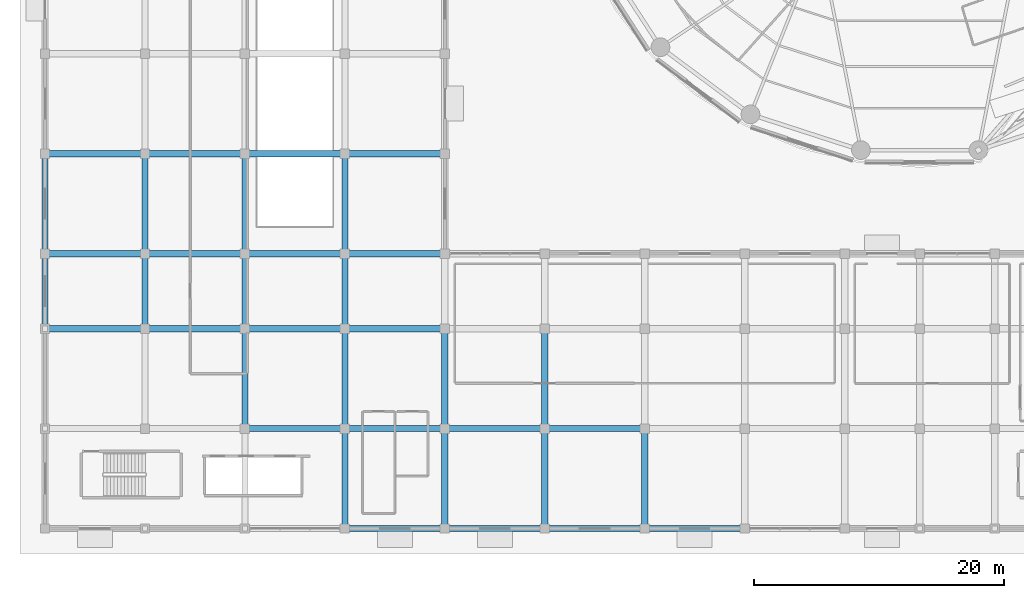
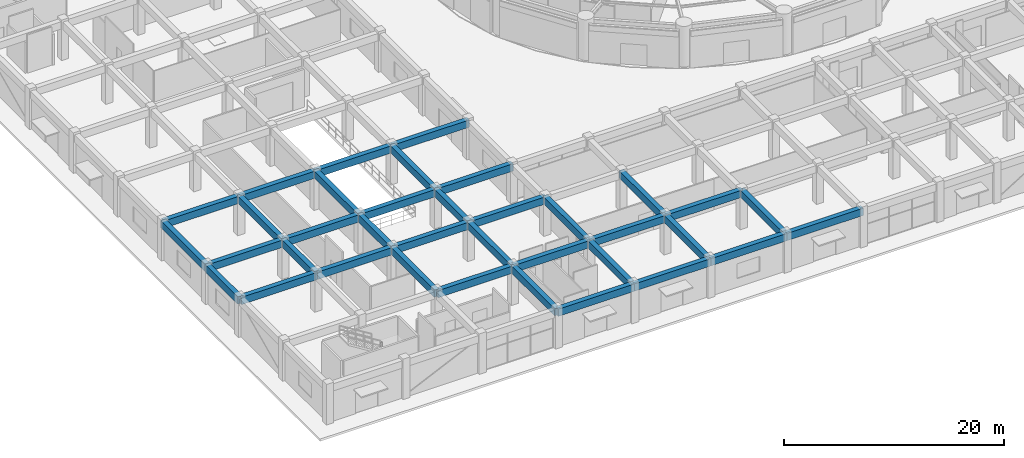
# One storey, part 7 of 40: 36 beams.
"""IFC4 building model written with IfcOpenShell, lengths in metres."""

from ifc_helpers import new_model, si_unit, direction, frame, origin, origin_2d, place, context, subcontext, project, spatial, rectangle, extrude, material, material_profile, profile_set, type_object, element, save


model = new_model("IFC4")

# Units and contexts
model_context = context("Model", 3, precision=1e-05, world=origin(), true_north=direction((0.0, 1.0)))
body_context = subcontext(model_context, "Body", "Model", "MODEL_VIEW")
ifc_project = project(units=[si_unit("LENGTHUNIT", "METRE"), si_unit("AREAUNIT", "SQUARE_METRE"), si_unit("VOLUMEUNIT", "CUBIC_METRE"), si_unit("PLANEANGLEUNIT", "RADIAN"), si_unit("MASSUNIT", "GRAM", prefix="KILO")], contexts=[model_context])

# Site, building, storey
site_placement = place(None, origin())
site = spatial("IfcSite", under=ifc_project, at=site_placement, CompositionType="ELEMENT")
building_placement = place(site_placement, origin())
building = spatial("IfcBuilding", under=site, at=building_placement, Name="Kelanora Arch Commons", CompositionType="ELEMENT")
storey_placement = place(building_placement, origin())
storey = spatial("IfcBuildingStorey", under=building, at=storey_placement, Name="L00", CompositionType="ELEMENT", Elevation=0.0)

# Beams
ifc_material = material(Name="Concrete C40/50", Category="concrete")
ifc_material_profile = material_profile(ifc_material, rectangle(XDim=0.5, YDim=0.800048828125, at=origin_2d()), Name="RCB500x800")
ifc_profile_set = profile_set([ifc_material_profile], Name="Concrete C40/50")
beam_type = type_object("IfcBeamType", Name="BM-MKT-RC1", PredefinedType="BEAM", material=ifc_profile_set)
beam_1_placement = place(storey_placement, frame((4.0, 20.0, 3.840087890625), z_axis=(1.0, 0.0, 0.0), x_axis=(0.0, 1.0, 0.0)))
element("IfcBeam", 1, at=beam_1_placement, inside=storey, type_object=beam_type, Name="Market/Basement Frame Beam 005 L00", PredefinedType="BEAM", context=body_context, shape_type="SweptSolid", body=[
    extrude(rectangle(XDim=0.5, YDim=0.800048828125, at=origin_2d()), origin(), (0.0, 0.0, 1.0), 8.0),
])
beam_2_placement = place(storey_placement, frame((4.0, 20.0, 3.840087890625), z_axis=(0.0, 1.0, 0.0), x_axis=(-1.0, 0.0, 0.0)))
element("IfcBeam", 2, at=beam_2_placement, inside=storey, type_object=beam_type, Name="Market/Basement Frame Beam 006 L00", PredefinedType="BEAM", context=body_context, shape_type="SweptSolid", body=[
    extrude(rectangle(XDim=0.5, YDim=0.800048828125, at=origin_2d()), origin(), (0.0, 0.0, 1.0), 6.0),
])
for number, where, z_axis, x_axis, name in (
    (3, (4.0, 26.0, 3.840087890625), (1.0, 0.0, 0.0), (0.0, 1.0, 0.0), "Market/Basement Frame Beam 007 L00"),
    (4, (4.0, 26.0, 3.840087890625), (0.0, 1.0, 0.0), (-1.0, 0.0, 0.0), "Market/Basement Frame Beam 008 L00"),
    (5, (4.0, 34.0, 3.840087890625), (1.0, 0.0, 0.0), (0.0, 1.0, 0.0), "Market/Basement Frame Beam 009 L00"),
    (6, (12.0, 20.0, 3.840087890625), (1.0, 0.0, 0.0), (0.0, 1.0, 0.0), "Market/Basement Frame Beam 024 L00"),
):
    element("IfcBeam", number, at=place(storey_placement, frame(where, z_axis=z_axis, x_axis=x_axis)), inside=storey, type_object=beam_type, Name=name, PredefinedType="BEAM", context=body_context, shape_type="SweptSolid", body=[
        extrude(rectangle(XDim=0.5, YDim=0.800048828125, at=origin_2d()), origin(), (0.0, 0.0, 1.0), 8.0),
    ])
beam_3_placement = place(storey_placement, frame((12.0, 20.0, 3.840087890625), z_axis=(0.0, 1.0, 0.0), x_axis=(-1.0, 0.0, 0.0)))
element("IfcBeam", 7, at=beam_3_placement, inside=storey, type_object=beam_type, Name="Market/Basement Frame Beam 025 L00", PredefinedType="BEAM", context=body_context, shape_type="SweptSolid", body=[
    extrude(rectangle(XDim=0.5, YDim=0.800048828125, at=origin_2d()), origin(), (0.0, 0.0, 1.0), 6.0),
])
for number, where, z_axis, x_axis, name in (
    (8, (12.0, 26.0, 3.840087890625), (1.0, 0.0, 0.0), (0.0, 1.0, 0.0), "Market/Basement Frame Beam 026 L00"),
    (9, (12.0, 26.0, 3.840087890625), (0.0, 1.0, 0.0), (-1.0, 0.0, 0.0), "Market/Basement Frame Beam 027 L00"),
    (10, (12.0, 34.0, 3.840087890625), (1.0, 0.0, 0.0), (0.0, 1.0, 0.0), "Market/Basement Frame Beam 028 L00"),
    (11, (20.0, 12.0, 3.840087890625), (1.0, 0.0, 0.0), (0.0, 1.0, 0.0), "Market/Basement Frame Beam 040 L00"),
    (12, (20.0, 12.0, 3.840087890625), (0.0, 1.0, 0.0), (-1.0, 0.0, 0.0), "Market/Basement Frame Beam 041 L00"),
    (13, (20.0, 20.0, 3.840087890625), (1.0, 0.0, 0.0), (0.0, 1.0, 0.0), "Market/Basement Frame Beam 042 L00"),
):
    element("IfcBeam", number, at=place(storey_placement, frame(where, z_axis=z_axis, x_axis=x_axis)), inside=storey, type_object=beam_type, Name=name, PredefinedType="BEAM", context=body_context, shape_type="SweptSolid", body=[
        extrude(rectangle(XDim=0.5, YDim=0.800048828125, at=origin_2d()), origin(), (0.0, 0.0, 1.0), 8.0),
    ])
beam_4_placement = place(storey_placement, frame((20.0, 20.0, 3.840087890625), z_axis=(0.0, 1.0, 0.0), x_axis=(-1.0, 0.0, 0.0)))
element("IfcBeam", 14, at=beam_4_placement, inside=storey, type_object=beam_type, Name="Market/Basement Frame Beam 043 L00", PredefinedType="BEAM", context=body_context, shape_type="SweptSolid", body=[
    extrude(rectangle(XDim=0.5, YDim=0.800048828125, at=origin_2d()), origin(), (0.0, 0.0, 1.0), 6.0),
])
for number, where, z_axis, x_axis, name in (
    (15, (20.0, 26.0, 3.840087890625), (1.0, 0.0, 0.0), (0.0, 1.0, 0.0), "Market/Basement Frame Beam 044 L00"),
    (16, (20.0, 26.0, 3.840087890625), (0.0, 1.0, 0.0), (-1.0, 0.0, 0.0), "Market/Basement Frame Beam 045 L00"),
    (17, (20.0, 34.0, 3.840087890625), (1.0, 0.0, 0.0), (0.0, 1.0, 0.0), "Market/Basement Frame Beam 046 L00"),
    (18, (28.0, 4.0, 3.840087890625), (1.0, 0.0, 0.0), (0.0, 1.0, 0.0), "Market/Basement Frame Beam 059 L00"),
    (19, (28.0, 4.0, 3.840087890625), (0.0, 1.0, 0.0), (-1.0, 0.0, 0.0), "Market/Basement Frame Beam 060 L00"),
    (20, (28.0, 12.0, 3.840087890625), (1.0, 0.0, 0.0), (0.0, 1.0, 0.0), "Market/Basement Frame Beam 061 L00"),
    (21, (28.0, 12.0, 3.840087890625), (0.0, 1.0, 0.0), (-1.0, 0.0, 0.0), "Market/Basement Frame Beam 062 L00"),
    (22, (28.0, 20.0, 3.840087890625), (1.0, 0.0, 0.0), (0.0, 1.0, 0.0), "Market/Basement Frame Beam 063 L00"),
):
    element("IfcBeam", number, at=place(storey_placement, frame(where, z_axis=z_axis, x_axis=x_axis)), inside=storey, type_object=beam_type, Name=name, PredefinedType="BEAM", context=body_context, shape_type="SweptSolid", body=[
        extrude(rectangle(XDim=0.5, YDim=0.800048828125, at=origin_2d()), origin(), (0.0, 0.0, 1.0), 8.0),
    ])
beam_5_placement = place(storey_placement, frame((28.0, 20.0, 3.840087890625), z_axis=(0.0, 1.0, 0.0), x_axis=(-1.0, 0.0, 0.0)))
element("IfcBeam", 23, at=beam_5_placement, inside=storey, type_object=beam_type, Name="Market/Basement Frame Beam 064 L00", PredefinedType="BEAM", context=body_context, shape_type="SweptSolid", body=[
    extrude(rectangle(XDim=0.5, YDim=0.800048828125, at=origin_2d()), origin(), (0.0, 0.0, 1.0), 6.0),
])
for number, where, z_axis, x_axis, name in (
    (24, (28.0, 26.0, 3.840087890625), (1.0, 0.0, 0.0), (0.0, 1.0, 0.0), "Market/Basement Frame Beam 065 L00"),
    (25, (28.0, 26.0, 3.840087890625), (0.0, 1.0, 0.0), (-1.0, 0.0, 0.0), "Market/Basement Frame Beam 066 L00"),
    (26, (28.0, 34.0, 3.840087890625), (1.0, 0.0, 0.0), (0.0, 1.0, 0.0), "Market/Basement Frame Beam 067 L00"),
    (27, (36.0, 4.0, 3.840087890625), (1.0, 0.0, 0.0), (0.0, 1.0, 0.0), "Market/Basement Frame Beam 080 L00"),
    (28, (36.0, 4.0, 3.840087890625), (0.0, 1.0, 0.0), (-1.0, 0.0, 0.0), "Market/Basement Frame Beam 081 L00"),
    (29, (36.0, 12.0, 3.840087890625), (1.0, 0.0, 0.0), (0.0, 1.0, 0.0), "Market/Basement Frame Beam 082 L00"),
    (30, (36.0, 12.0, 3.840087890625), (0.0, 1.0, 0.0), (-1.0, 0.0, 0.0), "Market/Basement Frame Beam 083 L00"),
    (31, (44.0, 4.0, 3.840087890625), (1.0, 0.0, 0.0), (0.0, 1.0, 0.0), "Market/Basement Frame Beam 094 L00"),
    (32, (44.0, 4.0, 3.840087890625), (0.0, 1.0, 0.0), (-1.0, 0.0, 0.0), "Market/Basement Frame Beam 095 L00"),
    (33, (44.0, 12.0, 3.840087890625), (1.0, 0.0, 0.0), (0.0, 1.0, 0.0), "Market/Basement Frame Beam 096 L00"),
    (34, (44.0, 12.0, 3.840087890625), (0.0, 1.0, 0.0), (-1.0, 0.0, 0.0), "Market/Basement Frame Beam 097 L00"),
    (35, (52.0, 4.0, 3.840087890625), (1.0, 0.0, 0.0), (0.0, 1.0, 0.0), "Market/Basement Frame Beam 101 L00"),
    (36, (52.0, 4.0, 3.840087890625), (0.0, 1.0, 0.0), (-1.0, 0.0, 0.0), "Market/Basement Frame Beam 102 L00"),
):
    element("IfcBeam", number, at=place(storey_placement, frame(where, z_axis=z_axis, x_axis=x_axis)), inside=storey, type_object=beam_type, Name=name, PredefinedType="BEAM", context=body_context, shape_type="SweptSolid", body=[
        extrude(rectangle(XDim=0.5, YDim=0.800048828125, at=origin_2d()), origin(), (0.0, 0.0, 1.0), 8.0),
    ])

save(model, "model.ifc")
